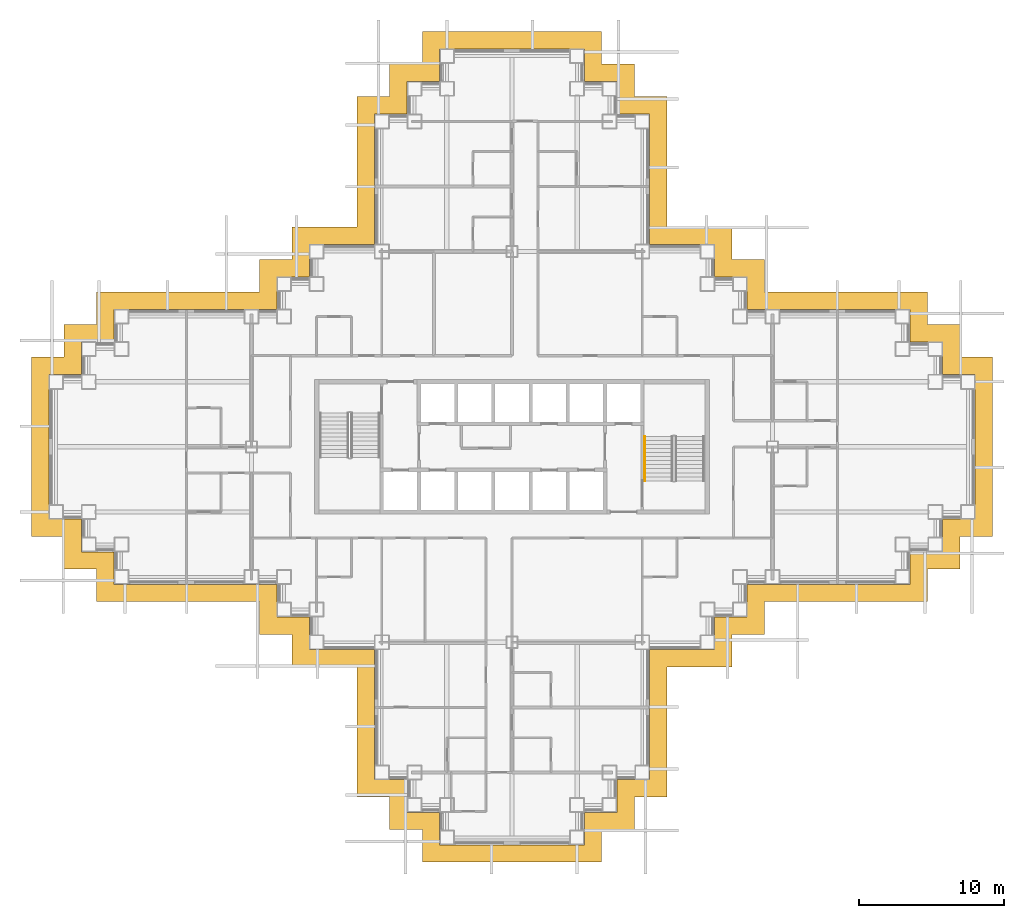
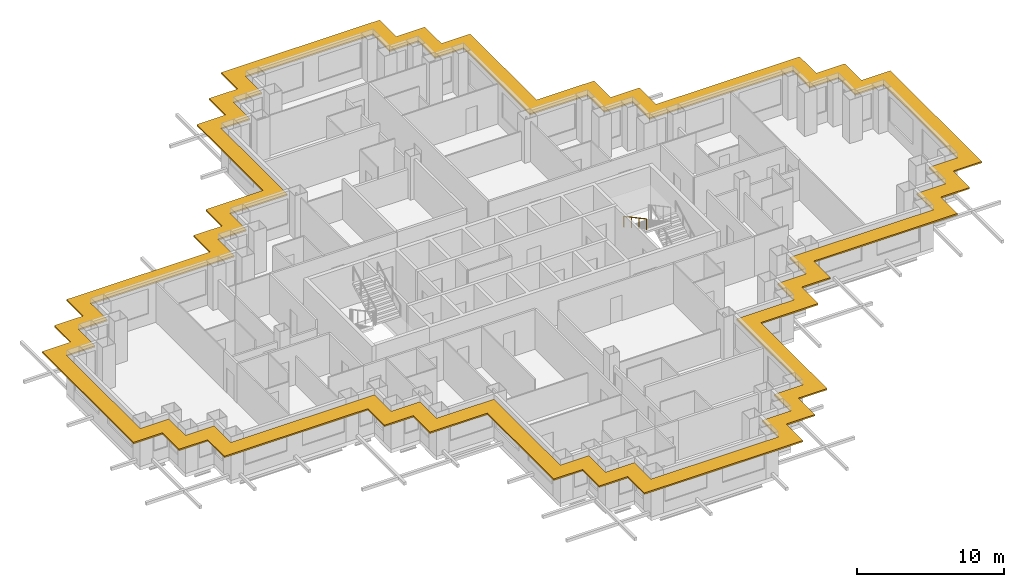
# One storey, part 14 of 15: 1 railing, 1 shading device.
"""IFC4 building model written with IfcOpenShell, lengths in metres."""

from ifc_helpers import new_model, si_unit, direction, frame, origin, origin_2d, place, context, subcontext, project, spatial, polyline, circle, outline, extrude, material, layer, layer_set, type_object, element, save


model = new_model("IFC4")

# Units and contexts
model_context = context("Model", 3, precision=1e-05, world=origin(), true_north=direction((0.0, 1.0)))
body_context = subcontext(model_context, "Body", "Model", "MODEL_VIEW")
ifc_project = project(units=[si_unit("LENGTHUNIT", "METRE"), si_unit("AREAUNIT", "SQUARE_METRE"), si_unit("VOLUMEUNIT", "CUBIC_METRE"), si_unit("PLANEANGLEUNIT", "RADIAN"), si_unit("MASSUNIT", "GRAM", prefix="KILO")], contexts=[model_context])

# Site, building, storey
site_placement = place(None, origin())
site = spatial("IfcSite", under=ifc_project, at=site_placement, CompositionType="ELEMENT")
building_placement = place(site_placement, origin())
building = spatial("IfcBuilding", under=site, at=building_placement, Name="Caravel Reach Hotel and Residences", CompositionType="ELEMENT")
storey_placement = place(building_placement, frame((0.0, 0.0, 70.800048828125)))
storey = spatial("IfcBuildingStorey", under=building, at=storey_placement, Name="L16", CompositionType="ELEMENT", Elevation=70.800048828125)

# Railing
ifc_material_1 = material(Name="Stainless steel handrail", Category="steel")
railing_type = type_object("IfcRailingType", Name="Handrail 900", PredefinedType="HANDRAIL", material=ifc_material_1)
railing_placement = place(storey_placement, frame((40.675048828125, 27.72998046875, 1.949951171875)))
element("IfcRailing", 1, at=railing_placement, inside=storey, type_object=railing_type, Name="L16 ST-B stair handrail 2", PredefinedType="HANDRAIL", context=body_context, shape_type="SweptSolid", body=[
    extrude(circle(Radius=0.02392578125, at=origin_2d()), frame((0.0, 0.0, 0.8759765625), z_axis=(0.0, -0.881496589024, 0.472190389079), x_axis=(1.0, 0.0, 0.0)), (0.0, 0.0, 1.0), 3.494140625),
    extrude(circle(Radius=0.02099609375, at=origin_2d()), origin(), (0.0, 0.0, 1.0), 0.851806640625),
    extrude(circle(Radius=0.02099609375, at=origin_2d()), frame((0.0, -1.026611328125, 0.550048828125)), (0.0, 0.0, 1.0), 0.851806640625),
    extrude(circle(Radius=0.02099609375, at=origin_2d()), frame((0.0, -2.053466796875, 1.099853515625)), (0.0, 0.0, 1.0), 0.851806640625),
    extrude(circle(Radius=0.02099609375, at=origin_2d()), frame((0.0, -3.080078125, 1.64990234375)), (0.0, 0.0, 1.0), 0.851806640625),
])

# Shading device
ifc_material_2 = material(Name="Black powder-coated aluminium", Category="aluminium")
ifc_layer = layer(ifc_material_2, 0.1201171875)
ifc_layer_set = layer_set([ifc_layer], Name="SS1 Sunshade band 1200")
shading_device_type = type_object("IfcShadingDeviceType", Name="SS1 Sunshade band 1200", PredefinedType="USERDEFINED", material=ifc_layer_set)
shading_device_placement = place(storey_placement, frame((0.0, 0.0, 3.0400390625)))
element("IfcShadingDevice", 2, at=shading_device_placement, inside=storey, type_object=shading_device_type, Name="Sunshade L16 1", ObjectType="SUNSHADE", PredefinedType="USERDEFINED", context=body_context, shape_type="SweptSolid", body=[
    extrude(outline(polyline([(20.800048828125, 11.800048828125), (20.800048828125, 2.800048828125), (23.050048828125, 2.800048828125), (23.050048828125, 0.550048828125), (25.300048828125, 0.550048828125), (25.300048828125, -1.699951171875), (37.699951171875, -1.699951171875), (37.699951171875, 0.550048828125), (39.949951171875, 0.550048828125), (39.949951171875, 2.800048828125), (42.199951171875, 2.800048828125), (42.199951171875, 11.800048828125), (46.699951171875, 11.800048828125), (46.699951171875, 14.050048828125), (48.949951171875, 14.050048828125), (48.949951171875, 16.300048828125), (60.199951171875, 16.300048828125), (60.199951171875, 18.550048828125), (62.449951171875, 18.550048828125), (62.449951171875, 20.800048828125), (64.699951171875, 20.800048828125), (64.699951171875, 33.199951171875), (62.449951171875, 33.199951171875), (62.449951171875, 35.449951171875), (60.199951171875, 35.449951171875), (60.199951171875, 37.699951171875), (48.949951171875, 37.699951171875), (48.949951171875, 39.949951171875), (46.699951171875, 39.949951171875), (46.699951171875, 42.199951171875), (42.199951171875, 42.199951171875), (42.199951171875, 51.199951171875), (39.949951171875, 51.199951171875), (39.949951171875, 53.449951171875), (37.699951171875, 53.449951171875), (37.699951171875, 55.699951171875), (25.300048828125, 55.699951171875), (25.300048828125, 53.449951171875), (23.050048828125, 53.449951171875), (23.050048828125, 51.199951171875), (20.800048828125, 51.199951171875), (20.800048828125, 42.199951171875), (16.300048828125, 42.199951171875), (16.300048828125, 39.949951171875), (14.050048828125, 39.949951171875), (14.050048828125, 37.699951171875), (2.800048828125, 37.699951171875), (2.800048828125, 35.449951171875), (0.550048828125, 35.449951171875), (0.550048828125, 33.199951171875), (-1.699951171875, 33.199951171875), (-1.699951171875, 20.800048828125), (0.550048828125, 20.800048828125), (0.550048828125, 18.550048828125), (2.800048828125, 18.550048828125), (2.800048828125, 16.300048828125), (14.050048828125, 16.300048828125), (14.050048828125, 14.050048828125), (16.300048828125, 14.050048828125), (16.300048828125, 11.800048828125), (20.800048828125, 11.800048828125)]), holes=[polyline([(24.25, 4.0), (22.0, 4.0), (22.0, 13.0), (17.5, 13.0), (17.5, 15.25), (15.25, 15.25), (15.25, 17.5), (4.0, 17.5), (4.0, 19.75), (1.75, 19.75), (1.75, 22.0), (-0.5, 22.0), (-0.5, 32.0), (1.75, 32.0), (1.75, 34.25), (4.0, 34.25), (4.0, 36.5), (15.25, 36.5), (15.25, 38.75), (17.5, 38.75), (17.5, 41.0), (22.0, 41.0), (22.0, 50.0), (24.25, 50.0), (24.25, 52.25), (26.5, 52.25), (26.5, 54.5), (36.5, 54.5), (36.5, 52.25), (38.75, 52.25), (38.75, 50.0), (41.0, 50.0), (41.0, 41.0), (45.5, 41.0), (45.5, 38.75), (47.75, 38.75), (47.75, 36.5), (59.0, 36.5), (59.0, 34.25), (61.25, 34.25), (61.25, 32.0), (63.5, 32.0), (63.5, 22.0), (61.25, 22.0), (61.25, 19.75), (59.0, 19.75), (59.0, 17.5), (47.75, 17.5), (47.75, 15.25), (45.5, 15.25), (45.5, 13.0), (41.0, 13.0), (41.0, 4.0), (38.75, 4.0), (38.75, 1.75), (36.5, 1.75), (36.5, -0.5), (26.5, -0.5), (26.5, 1.75), (24.25, 1.75), (24.25, 4.0)])]), origin(), (0.0, 0.0, 1.0), 0.119873046875),
])

save(model, "model.ifc")
